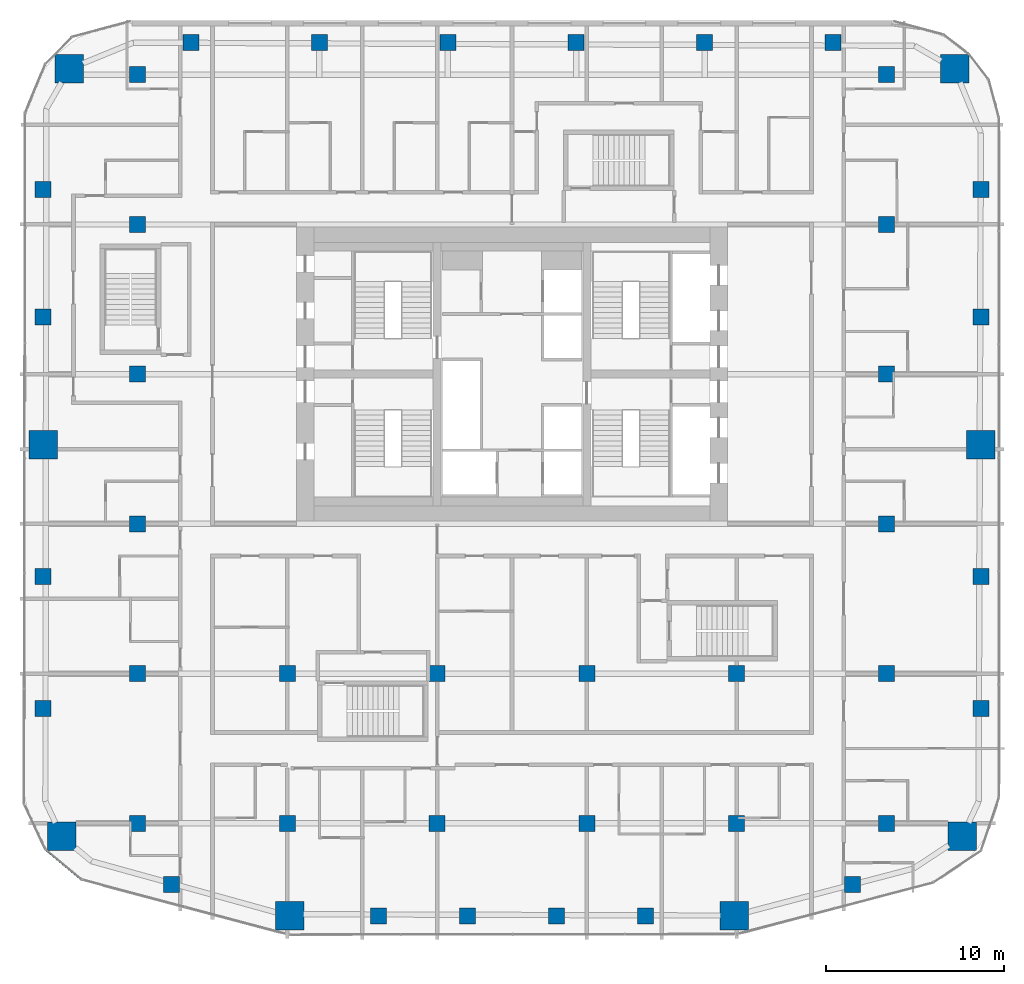
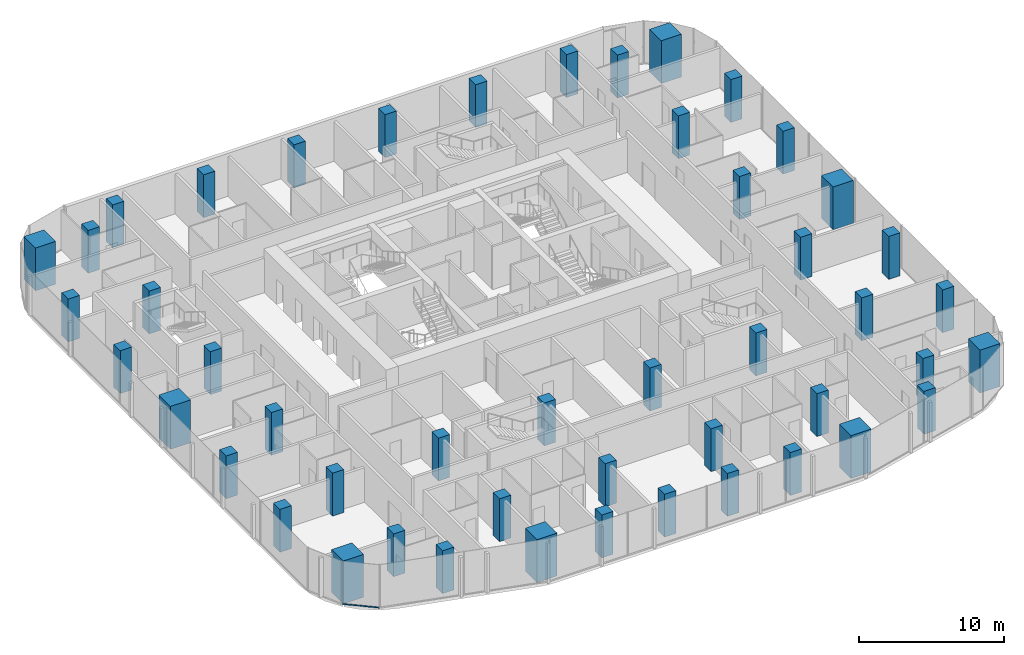
# One storey, part 1 of 23: 48 columns, 1 member, 1 element without a shape of its own.
"""IFC4 building model written with IfcOpenShell, lengths in metres."""

from ifc_helpers import new_model, si_unit, direction, frame, origin, origin_2d, place, context, subcontext, project, spatial, rectangle, extrude, material, layer, layer_set, material_profile, profile_set, type_object, element, aggregate, save


model = new_model("IFC4")

# Units and contexts
model_context = context("Model", 3, precision=1e-05, world=origin(), true_north=direction((0.0, 1.0)))
body_context = subcontext(model_context, "Body", "Model", "MODEL_VIEW")
ifc_project = project(units=[si_unit("LENGTHUNIT", "METRE"), si_unit("AREAUNIT", "SQUARE_METRE"), si_unit("VOLUMEUNIT", "CUBIC_METRE"), si_unit("PLANEANGLEUNIT", "RADIAN"), si_unit("MASSUNIT", "GRAM", prefix="KILO")], contexts=[model_context])

# Site, building, storey
site_placement = place(None, origin())
site = spatial("IfcSite", under=ifc_project, at=site_placement, CompositionType="ELEMENT")
building_placement = place(site_placement, origin())
building = spatial("IfcBuilding", under=site, at=building_placement, Name="Marenta Gate Hotel Tower", CompositionType="ELEMENT")
storey_placement = place(building_placement, frame((0.0, 0.0, 119.300048828125)))
storey = spatial("IfcBuildingStorey", under=building, at=storey_placement, Name="L26", CompositionType="ELEMENT", Elevation=119.300048828125)

# Columns
ifc_material_1 = material(Name="Concrete C70", Category="concrete")
ifc_material_profile_1 = material_profile(ifc_material_1, rectangle(XDim=0.89990234375, YDim=0.89990234375, at=origin_2d()), Name="900 x 900")
ifc_profile_set_1 = profile_set([ifc_material_profile_1], Name="Concrete C70")
column_type_1 = type_object("IfcColumnType", Name="Edge column 900 x 900 C70", PredefinedType="COLUMN", material=ifc_profile_set_1)
for number, where, z_axis, x_axis, name in (
    (1, (-26.300048828125, -10.351806640625, 0.0), (0.0, 0.0, 1.0), (1.0, 0.0, 0.0), "L26-EC-SW-W-1"),
    (2, (-26.300048828125, -2.950927734375, 0.0), (0.0, 0.0, 1.0), (1.0, 0.0, 0.0), "L26-EC-SW-W-2"),
    (3, (-26.300048828125, 11.603271484375, 0.0), (0.0, 0.0, 1.0), (1.0, 0.0, 0.0), "L26-EC-W-NW-1"),
    (4, (-26.300048828125, 18.75634765625, 0.0), (0.0, 0.0, 1.0), (1.0, 0.0, 0.0), "L26-EC-W-NW-2"),
    (5, (-18.0068359375, 27.0, 0.0), (0.0, 0.0, 1.0), (1.0, 0.0, 0.0), "L26-EC-NW-NE-1"),
    (6, (-10.80419921875, 27.0, 0.0), (0.0, 0.0, 1.0), (1.0, 0.0, 0.0), "L26-EC-NW-NE-2"),
    (7, (-3.601318359375, 27.0, 0.0), (0.0, 0.0, 1.0), (1.0, 0.0, 0.0), "L26-EC-NW-NE-3"),
    (8, (3.601318359375, 27.0, 0.0), (0.0, 0.0, 1.0), (1.0, 0.0, 0.0), "L26-EC-NW-NE-4"),
    (9, (10.80419921875, 27.0, 0.0), (0.0, 0.0, 1.0), (1.0, 0.0, 0.0), "L26-EC-NW-NE-5"),
    (10, (18.0068359375, 27.0, 0.0), (0.0, 0.0, 1.0), (1.0, 0.0, 0.0), "L26-EC-NW-NE-6"),
    (11, (26.300048828125, 18.75634765625, 0.0), (0.0, 0.0, 1.0), (1.0, 0.0, 0.0), "L26-EC-NE-E-1"),
    (12, (26.300048828125, 11.603271484375, 0.0), (0.0, 0.0, 1.0), (1.0, 0.0, 0.0), "L26-EC-NE-E-2"),
    (13, (26.300048828125, -2.950927734375, 0.0), (0.0, 0.0, 1.0), (1.0, 0.0, 0.0), "L26-EC-E-SE-1"),
    (14, (26.300048828125, -10.351806640625, 0.0), (0.0, 0.0, 1.0), (1.0, 0.0, 0.0), "L26-EC-E-SE-2"),
    (15, (19.106689453125, -20.239013671875, 0.0), (0.0, 0.0, 1.0), (1.0, 0.0, 0.0), "L26-EC-SE-SKE-1"),
    (16, (7.47998046875, -22.0, 0.0), (0.0, 0.0, 1.0), (1.0, 0.0, 0.0), "L26-EC-SKE-SKW-1"),
    (17, (2.493408203125, -22.0, 0.0), (0.0, 0.0, 1.0), (1.0, 0.0, 0.0), "L26-EC-SKE-SKW-2"),
    (18, (-2.493408203125, -22.0, 0.0), (0.0, 0.0, 1.0), (1.0, 0.0, 0.0), "L26-EC-SKE-SKW-3"),
    (19, (-7.47998046875, -22.0, 0.0), (0.0, 0.0, 1.0), (1.0, 0.0, 0.0), "L26-EC-SKE-SKW-4"),
    (20, (-19.106689453125, -20.239013671875, 0.0), (0.0, 0.0, 1.0), (1.0, 0.0, 0.0), "L26-EC-SKW-SW-1"),
):
    element("IfcColumn", number, at=place(storey_placement, frame(where, z_axis=z_axis, x_axis=x_axis)), inside=storey, type_object=column_type_1, Name=name, PredefinedType="COLUMN", context=body_context, shape_type="SweptSolid", body=[
        extrude(rectangle(XDim=0.89990234375, YDim=0.89990234375, at=origin_2d()), origin(), (0.0, 0.0, 1.0), 3.599853515625),
    ])
ifc_material_2 = material(Name="Concrete C70", Category="concrete")
ifc_material_profile_2 = material_profile(ifc_material_2, rectangle(XDim=0.89990234375, YDim=0.89990234375, at=origin_2d()), Name="900 x 900")
ifc_profile_set_2 = profile_set([ifc_material_profile_2], Name="Concrete C70")
column_type_2 = type_object("IfcColumnType", Name="Interior column 900 x 900 C70", PredefinedType="COLUMN", material=ifc_profile_set_2)
for number, where, z_axis, x_axis, name in (
    (21, (-21.0, -16.800048828125, 0.0), (0.0, 0.0, 1.0), (1.0, 0.0, 0.0), "L26-IC-4D"),
    (22, (-21.0, -8.39990234375, 0.0), (0.0, 0.0, 1.0), (1.0, 0.0, 0.0), "L26-IC-4E"),
    (23, (-21.0, 0.0, 0.0), (0.0, 0.0, 1.0), (1.0, 0.0, 0.0), "L26-IC-4F"),
    (24, (-21.0, 8.39990234375, 0.0), (0.0, 0.0, 1.0), (1.0, 0.0, 0.0), "L26-IC-4G"),
    (25, (-21.0, 16.800048828125, 0.0), (0.0, 0.0, 1.0), (1.0, 0.0, 0.0), "L26-IC-4H"),
    (26, (-21.0, 25.199951171875, 0.0), (0.0, 0.0, 1.0), (1.0, 0.0, 0.0), "L26-IC-4I"),
    (27, (-12.60009765625, -16.800048828125, 0.0), (0.0, 0.0, 1.0), (1.0, 0.0, 0.0), "L26-IC-5D"),
    (28, (-12.60009765625, -8.39990234375, 0.0), (0.0, 0.0, 1.0), (1.0, 0.0, 0.0), "L26-IC-5E"),
    (29, (-4.199951171875, -16.800048828125, 0.0), (0.0, 0.0, 1.0), (1.0, 0.0, 0.0), "L26-IC-6D"),
    (30, (-4.199951171875, -8.39990234375, 0.0), (0.0, 0.0, 1.0), (1.0, 0.0, 0.0), "L26-IC-6E"),
    (31, (4.199951171875, -16.800048828125, 0.0), (0.0, 0.0, 1.0), (1.0, 0.0, 0.0), "L26-IC-7D"),
    (32, (4.199951171875, -8.39990234375, 0.0), (0.0, 0.0, 1.0), (1.0, 0.0, 0.0), "L26-IC-7E"),
    (33, (12.60009765625, -16.800048828125, 0.0), (0.0, 0.0, 1.0), (1.0, 0.0, 0.0), "L26-IC-8D"),
    (34, (12.60009765625, -8.39990234375, 0.0), (0.0, 0.0, 1.0), (1.0, 0.0, 0.0), "L26-IC-8E"),
    (35, (21.0, -16.800048828125, 0.0), (0.0, 0.0, 1.0), (1.0, 0.0, 0.0), "L26-IC-9D"),
    (36, (21.0, -8.39990234375, 0.0), (0.0, 0.0, 1.0), (1.0, 0.0, 0.0), "L26-IC-9E"),
    (37, (21.0, 0.0, 0.0), (0.0, 0.0, 1.0), (1.0, 0.0, 0.0), "L26-IC-9F"),
    (38, (21.0, 8.39990234375, 0.0), (0.0, 0.0, 1.0), (1.0, 0.0, 0.0), "L26-IC-9G"),
    (39, (21.0, 16.800048828125, 0.0), (0.0, 0.0, 1.0), (1.0, 0.0, 0.0), "L26-IC-9H"),
    (40, (21.0, 25.199951171875, 0.0), (0.0, 0.0, 1.0), (1.0, 0.0, 0.0), "L26-IC-9I"),
):
    element("IfcColumn", number, at=place(storey_placement, frame(where, z_axis=z_axis, x_axis=x_axis)), inside=storey, type_object=column_type_2, Name=name, PredefinedType="COLUMN", context=body_context, shape_type="SweptSolid", body=[
        extrude(rectangle(XDim=0.89990234375, YDim=0.89990234375, at=origin_2d()), origin(), (0.0, 0.0, 1.0), 3.599853515625),
    ])
ifc_material_3 = material(Name="Concrete C70", Category="concrete")
ifc_material_profile_3 = material_profile(ifc_material_3, rectangle(XDim=1.60009765625, YDim=1.60009765625, at=origin_2d()), Name="1600 x 1600")
ifc_profile_set_3 = profile_set([ifc_material_profile_3], Name="Concrete C70")
column_type_3 = type_object("IfcColumnType", Name="Mega column 1600 x 1600 C70", PredefinedType="COLUMN", material=ifc_profile_set_3)
for number, where, z_axis, x_axis, name in (
    (41, (-25.262939453125, -17.532958984375, 0.0), (0.0, 0.0, 1.0), (1.0, 0.0, 0.0), "L26-MC-SW"),
    (42, (-12.46630859375, -21.974853515625, 0.0), (0.0, 0.0, 1.0), (1.0, 0.0, 0.0), "L26-MC-SKW"),
    (43, (12.46630859375, -21.974853515625, 0.0), (0.0, 0.0, 1.0), (1.0, 0.0, 0.0), "L26-MC-SKE"),
    (44, (25.262939453125, -17.532958984375, 0.0), (0.0, 0.0, 1.0), (1.0, 0.0, 0.0), "L26-MC-SE"),
    (45, (26.300048828125, 4.449951171875, 0.0), (0.0, 0.0, 1.0), (1.0, 0.0, 0.0), "L26-MC-E"),
    (46, (24.83544921875, 25.535400390625, 0.0), (0.0, 0.0, 1.0), (1.0, 0.0, 0.0), "L26-MC-NE"),
    (47, (-24.83544921875, 25.535400390625, 0.0), (0.0, 0.0, 1.0), (1.0, 0.0, 0.0), "L26-MC-NW"),
    (48, (-26.300048828125, 4.449951171875, 0.0), (0.0, 0.0, 1.0), (1.0, 0.0, 0.0), "L26-MC-W"),
):
    element("IfcColumn", number, at=place(storey_placement, frame(where, z_axis=z_axis, x_axis=x_axis)), inside=storey, type_object=column_type_3, Name=name, PredefinedType="COLUMN", context=body_context, shape_type="SweptSolid", body=[
        extrude(rectangle(XDim=1.60009765625, YDim=1.60009765625, at=origin_2d()), origin(), (0.0, 0.0, 1.0), 3.599853515625),
    ])

# Curtain wall, member
ifc_material_4 = material(Name="Tinted insulated glass in bronze anodised frame", Category="glass")
ifc_layer = layer(ifc_material_4, 0.1201171875)
ifc_layer_set = layer_set([ifc_layer], Name="Tinted insulated glass in bronze anodised frame")
curtain_wall_type = type_object("IfcCurtainWallType", Name="Tower unitised curtain wall CW1", PredefinedType="NOTDEFINED", material=ifc_layer_set)
curtain_wall_placement = place(storey_placement, origin())
curtain_wall = element("IfcCurtainWall", 49, at=curtain_wall_placement, inside=storey, type_object=curtain_wall_type, Name="CW1 run G05", PredefinedType="NOTDEFINED")
ifc_material_5 = material(Name="Bronze anodised aluminium", Category="aluminium")
ifc_material_profile_4 = material_profile(ifc_material_5, rectangle(XDim=0.1201171875, YDim=0.06005859375, at=origin_2d()), Name="Transom CW1 60x120 bronze anodised aluminium")
ifc_profile_set_4 = profile_set([ifc_material_profile_4], Name="Bronze anodised aluminium")
member_type = type_object("IfcMemberType", Name="Transom CW1 60x120 bronze anodised aluminium", PredefinedType="USERDEFINED", material=ifc_profile_set_4)
member_placement = place(storey_placement, frame((-26.12890625, -18.296142578125, 0.030029296875), z_axis=(0.767116735682, -0.641507532175, 0.0), x_axis=(0.641507532175, 0.767116735682, 0.0)))
member = element("IfcMember", 50, at=member_placement, type_object=member_type, Name="CW1 transom 1.1", ObjectType="TRANSOM", PredefinedType="USERDEFINED", context=body_context, shape_type="SweptSolid", body=[
    extrude(rectangle(XDim=0.1201171875, YDim=0.06005859375, at=origin_2d()), origin(), (0.0, 0.0, 1.0), 2.575439453125),
])
aggregate(curtain_wall, [member])

save(model, "model.ifc")
